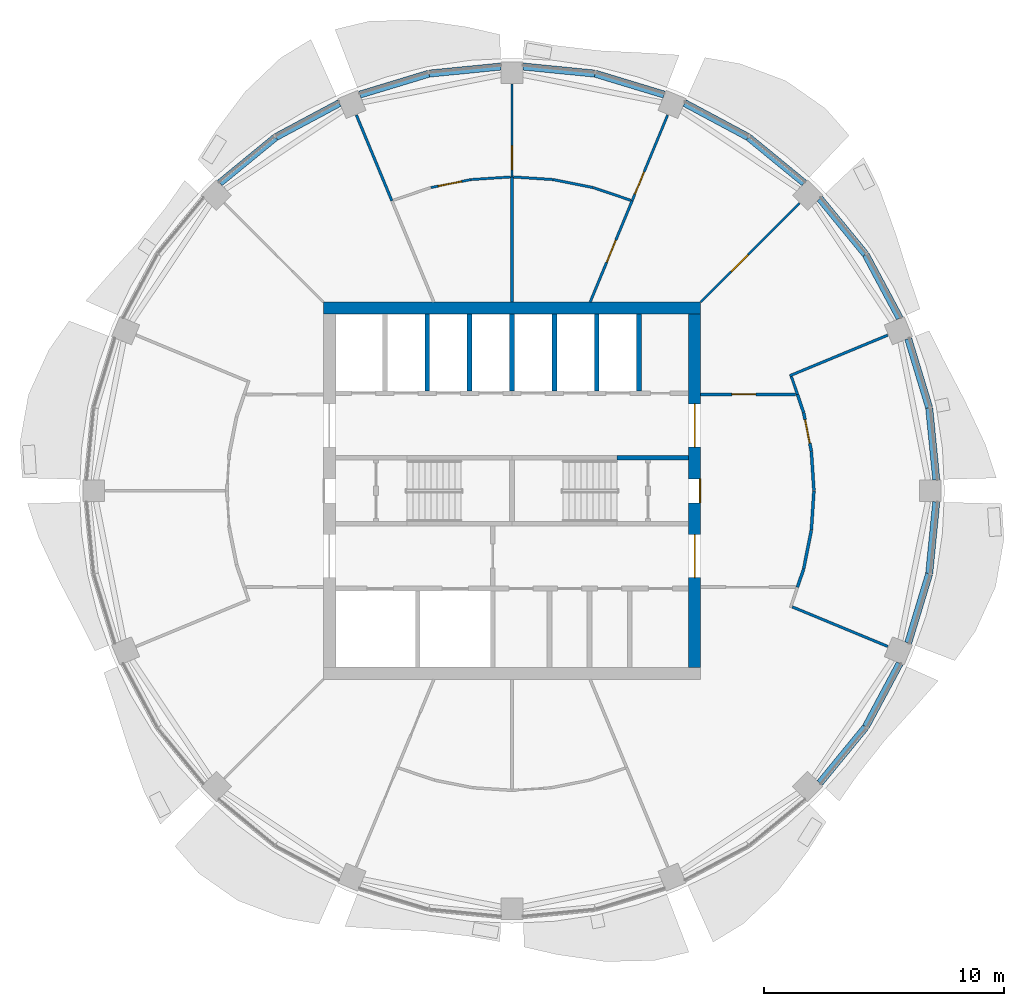
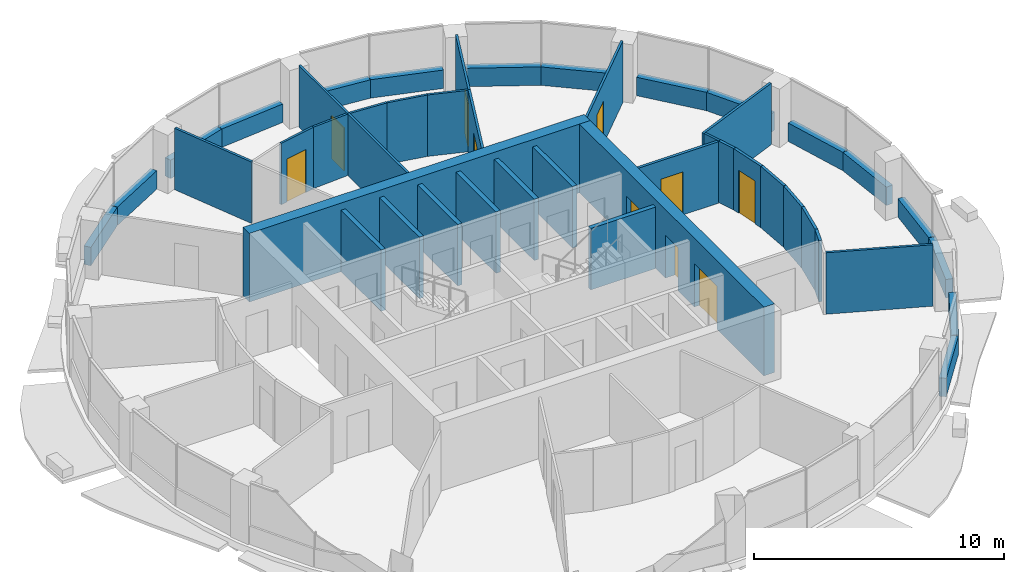
# One storey, part 10 of 15: 46 walls, 10 doors, 10 openings.
"""IFC4 building model written with IfcOpenShell, lengths in metres."""

from ifc_helpers import new_model, si_unit, direction, frame, frame_2d, origin, place, context, subcontext, project, spatial, rectangle, extrude, material, layer, layer_set, type_object, element, fill, save


model = new_model("IFC4")

# Units and contexts
model_context = context("Model", 3, precision=1e-05, world=origin(), true_north=direction((0.0, 1.0)))
body_context = subcontext(model_context, "Body", "Model", "MODEL_VIEW")
ifc_project = project(units=[si_unit("LENGTHUNIT", "METRE"), si_unit("AREAUNIT", "SQUARE_METRE"), si_unit("VOLUMEUNIT", "CUBIC_METRE"), si_unit("PLANEANGLEUNIT", "RADIAN"), si_unit("MASSUNIT", "GRAM", prefix="KILO")], contexts=[model_context])

# Site, building, storey
site_placement = place(None, origin())
site = spatial("IfcSite", under=ifc_project, at=site_placement, CompositionType="ELEMENT")
building_placement = place(site_placement, origin())
building = spatial("IfcBuilding", under=site, at=building_placement, Name="Polderwave Tower", CompositionType="ELEMENT")
storey_placement = place(building_placement, frame((0.0, 0.0, 191.0)))
storey = spatial("IfcBuildingStorey", under=building, at=storey_placement, Name="L51", CompositionType="ELEMENT", Elevation=191.0)

# Wall
ifc_material_1 = material(Name="Concrete C60/75", Category="concrete")
ifc_layer_1 = layer(ifc_material_1, 0.5)
ifc_layer_set_1 = layer_set([ifc_layer_1], Name="CORE WALL 500 C60/75")
wall_type_1 = type_object("IfcWallType", Name="CORE WALL 500 C60/75", PredefinedType="SHEAR", material=ifc_layer_set_1)
wall_1_placement = place(storey_placement, frame((-7.8740234375, 7.6240234375, 0.0), z_axis=(0.0, 0.0, 1.0), x_axis=(1.0, 0.0, 0.0)))
element("IfcWall", 1, at=wall_1_placement, inside=storey, type_object=wall_type_1, Name="ST-CORE-L51-N", PredefinedType="SHEAR", context=body_context, shape_type="SweptSolid", body=[
    extrude(rectangle(XDim=15.748046875, YDim=0.5, at=frame_2d((7.8740234375, 0.0))), origin(), (0.0, 0.0, 1.0), 3.35009765625),
])

# Wall, openings, doors
wall_2_placement = place(storey_placement, frame((7.6240234375, -7.3740234375, 0.0), z_axis=(0.0, 0.0, 1.0), x_axis=(0.0, 1.0, 0.0)))
wall_2 = element("IfcWall", 2, at=wall_2_placement, inside=storey, type_object=wall_type_1, Name="ST-CORE-L51-E", PredefinedType="SHEAR", context=body_context, shape_type="SweptSolid", body=[
    extrude(rectangle(XDim=14.748046875, YDim=0.5, at=frame_2d((7.3740234375, 0.0))), origin(), (0.0, 0.0, 1.0), 3.35009765625),
])
opening_1_placement = place(wall_2_placement, frame((6.8740234375, 0.0, 0.0)))
opening_1 = element("IfcOpeningElement", 3, at=opening_1_placement, cuts=wall_2, Name="Opening L51-D23", PredefinedType="OPENING", context=body_context, shape_type="SweptSolid", body=[
    extrude(rectangle(XDim=1.0, YDim=2.10009765625, at=frame_2d((0.5, 1.050048828125))), frame((0.0, 0.260009765625, 0.0), z_axis=(0.0, -1.0, 0.0), x_axis=(1.0, 0.0, 0.0)), (0.0, 0.0, 1.0), 0.52001953125),
])
opening_2_placement = place(wall_2_placement, frame((3.74951171875, 0.0, 0.0)))
opening_2 = element("IfcOpeningElement", 4, at=opening_2_placement, cuts=wall_2, Name="Opening L51-D24", PredefinedType="OPENING", context=body_context, shape_type="SweptSolid", body=[
    extrude(rectangle(XDim=1.800048828125, YDim=2.10009765625, at=frame_2d((0.89990234375, 1.050048828125))), frame((0.0, 0.260009765625, 0.0), z_axis=(0.0, -1.0, 0.0), x_axis=(1.0, 0.0, 0.0)), (0.0, 0.0, 1.0), 0.52001953125),
])
opening_3_placement = place(wall_2_placement, frame((9.198486328125, 0.0, 0.0)))
opening_3 = element("IfcOpeningElement", 5, at=opening_3_placement, cuts=wall_2, Name="Opening L51-D25", PredefinedType="OPENING", context=body_context, shape_type="SweptSolid", body=[
    extrude(rectangle(XDim=1.800048828125, YDim=2.10009765625, at=frame_2d((0.89990234375, 1.050048828125))), frame((0.0, 0.260009765625, 0.0), z_axis=(0.0, -1.0, 0.0), x_axis=(1.0, 0.0, 0.0)), (0.0, 0.0, 1.0), 0.52001953125),
])
ifc_material_2 = material(Name="Steel fire door", Category="steel")
door_type_1 = type_object("IfcDoorType", Name="Lobby entry door pair 1800", OperationType="DOUBLE_DOOR_SINGLE_SWING", PredefinedType="DOOR", material=ifc_material_2)
door_1_placement = place(opening_2_placement, frame((1.800048828125, 0.0, 0.0), z_axis=(0.0, 0.0, 1.0), x_axis=(-1.0, 0.0, 0.0)))
door_1 = element("IfcDoor", 6, at=door_1_placement, inside=storey, type_object=door_type_1, Name="South lobby entry door", OperationType="DOUBLE_DOOR_SINGLE_SWING", OverallHeight=2.10009765625, OverallWidth=1.800048828125, PredefinedType="DOOR", context=body_context, shape_type="SweptSolid", body=[
    extrude(rectangle(XDim=1.800048828125, YDim=2.10009765625, at=frame_2d((0.89990234375, 1.050048828125))), frame((0.0, 0.02490234375, 0.0), z_axis=(0.0, -1.0, 0.0), x_axis=(1.0, 0.0, 0.0)), (0.0, 0.0, 1.0), 0.050048828125),
])
fill(opening_2, door_1)
door_2_placement = place(opening_3_placement, frame((1.800048828125, 0.0, 0.0), z_axis=(0.0, 0.0, 1.0), x_axis=(-1.0, 0.0, 0.0)))
door_2 = element("IfcDoor", 7, at=door_2_placement, inside=storey, type_object=door_type_1, Name="North lobby entry door", OperationType="DOUBLE_DOOR_SINGLE_SWING", OverallHeight=2.10009765625, OverallWidth=1.800048828125, PredefinedType="DOOR", context=body_context, shape_type="SweptSolid", body=[
    extrude(rectangle(XDim=1.800048828125, YDim=2.10009765625, at=frame_2d((0.89990234375, 1.050048828125))), frame((0.0, 0.02490234375, 0.0), z_axis=(0.0, -1.0, 0.0), x_axis=(1.0, 0.0, 0.0)), (0.0, 0.0, 1.0), 0.050048828125),
])
fill(opening_3, door_2)
door_type_2 = type_object("IfcDoorType", Name="Stair door 1000", OperationType="NOTDEFINED", PredefinedType="DOOR", material=ifc_material_2)
door_3_placement = place(opening_1_placement, frame((1.0, 0.0, 0.0), z_axis=(0.0, 0.0, 1.0), x_axis=(-1.0, 0.0, 0.0)))
door_3 = element("IfcDoor", 8, at=door_3_placement, inside=storey, type_object=door_type_2, Name="Stair B entry door", OperationType="SINGLE_SWING_LEFT", OverallHeight=2.10009765625, OverallWidth=1.0, PredefinedType="DOOR", context=body_context, shape_type="SweptSolid", body=[
    extrude(rectangle(XDim=1.0, YDim=2.10009765625, at=frame_2d((0.5, 1.050048828125))), frame((0.0, 0.25, 0.0), z_axis=(0.0, -1.0, 0.0), x_axis=(1.0, 0.0, 0.0)), (0.0, 0.0, 1.0), 0.050048828125),
])
fill(opening_1, door_3)

# Walls
ifc_material_3 = material(Name="Concrete C50/60 (board-marked)", Category="concrete")
ifc_layer_2 = layer(ifc_material_3, 0.300048828125)
ifc_layer_set_2 = layer_set([ifc_layer_2], Name="Concrete spandrel upstand C50/60")
wall_type_2 = type_object("IfcWallType", Name="Concrete spandrel upstand C50/60", PredefinedType="SOLIDWALL", material=ifc_layer_set_2)
wall_3_placement = place(storey_placement, frame((17.70458984375, 0.4638671875, 0.0), z_axis=(0.0, 0.0, 1.0), x_axis=(-0.098109030901, 0.995175671957, 0.0)))
element("IfcWall", 9, at=wall_3_placement, inside=storey, type_object=wall_type_2, Name="Spandrel L51 1a", PredefinedType="SOLIDWALL", context=body_context, shape_type="SweptSolid", body=[
    extrude(rectangle(XDim=2.99853515625, YDim=0.300048828125, at=frame_2d((1.499267578125, 0.0))), origin(), (0.0, 0.0, 1.0), 0.89990234375),
])
wall_4_placement = place(storey_placement, frame((17.404541015625, 3.477294921875, 0.0), z_axis=(0.0, 0.0, 1.0), x_axis=(-0.290490921835, 0.95687774785, 0.0)))
element("IfcWall", 10, at=wall_4_placement, inside=storey, type_object=wall_type_2, Name="Spandrel L51 1b", PredefinedType="SOLIDWALL", context=body_context, shape_type="SweptSolid", body=[
    extrude(rectangle(XDim=2.998779296875, YDim=0.300048828125, at=frame_2d((1.49951171875, 0.0))), origin(), (0.0, 0.0, 1.0), 0.89990234375),
])
wall_5_placement = place(storey_placement, frame((16.178955078125, 7.2041015625, 0.0), z_axis=(0.0, 0.0, 1.0), x_axis=(-0.471572734074, 0.881827169278, 0.0)))
element("IfcWall", 11, at=wall_5_placement, inside=storey, type_object=wall_type_2, Name="Spandrel L51 2a", PredefinedType="SOLIDWALL", context=body_context, shape_type="SweptSolid", body=[
    extrude(rectangle(XDim=2.998046875, YDim=0.300048828125, at=frame_2d((1.4990234375, 0.0))), origin(), (0.0, 0.0, 1.0), 0.89990234375),
])
for number, where, z_axis, x_axis, name in (
    (12, (14.74853515625, 9.87255859375, 0.0), (0.0, 0.0, 1.0), (-0.634208079217, 0.773162410012, 0.0), "Spandrel L51 2b"),
    (13, (12.19140625, 12.846435546875, 0.0), (0.0, 0.0, 1.0), (-0.773162410012, 0.634208079217, 0.0), "Spandrel L51 3a"),
):
    element("IfcWall", number, at=place(storey_placement, frame(where, z_axis=z_axis, x_axis=x_axis)), inside=storey, type_object=wall_type_2, Name=name, PredefinedType="SOLIDWALL", context=body_context, shape_type="SweptSolid", body=[
        extrude(rectangle(XDim=2.999267578125, YDim=0.300048828125, at=frame_2d((1.49951171875, 0.0))), origin(), (0.0, 0.0, 1.0), 0.89990234375),
    ])
wall_6_placement = place(storey_placement, frame((9.847900390625, 14.76513671875, 0.0), z_axis=(0.0, 0.0, 1.0), x_axis=(-0.881827169278, 0.471572734074, 0.0)))
element("IfcWall", 14, at=wall_6_placement, inside=storey, type_object=wall_type_2, Name="Spandrel L51 3b", PredefinedType="SOLIDWALL", context=body_context, shape_type="SweptSolid", body=[
    extrude(rectangle(XDim=2.998046875, YDim=0.300048828125, at=frame_2d((1.4990234375, 0.0))), origin(), (0.0, 0.0, 1.0), 0.89990234375),
])
wall_7_placement = place(storey_placement, frame((6.3466796875, 16.533447265625, 0.0), z_axis=(0.0, 0.0, 1.0), x_axis=(-0.95687774785, 0.290490921835, 0.0)))
element("IfcWall", 15, at=wall_7_placement, inside=storey, type_object=wall_type_2, Name="Spandrel L51 4a", PredefinedType="SOLIDWALL", context=body_context, shape_type="SweptSolid", body=[
    extrude(rectangle(XDim=2.998779296875, YDim=0.300048828125, at=frame_2d((1.49951171875, 0.0))), origin(), (0.0, 0.0, 1.0), 0.89990234375),
])
for number, where, z_axis, x_axis, name in (
    (16, (3.447998046875, 17.410400390625, 0.0), (0.0, 0.0, 1.0), (-0.995175671957, 0.098109030901, 0.0), "Spandrel L51 4b"),
    (17, (-0.4638671875, 17.70458984375, 0.0), (0.0, 0.0, 1.0), (-0.995175671957, -0.098109030901, 0.0), "Spandrel L51 5a"),
):
    element("IfcWall", number, at=place(storey_placement, frame(where, z_axis=z_axis, x_axis=x_axis)), inside=storey, type_object=wall_type_2, Name=name, PredefinedType="SOLIDWALL", context=body_context, shape_type="SweptSolid", body=[
        extrude(rectangle(XDim=2.99853515625, YDim=0.300048828125, at=frame_2d((1.499267578125, 0.0))), origin(), (0.0, 0.0, 1.0), 0.89990234375),
    ])
wall_8_placement = place(storey_placement, frame((-3.477294921875, 17.404541015625, 0.0), z_axis=(0.0, 0.0, 1.0), x_axis=(-0.95687774785, -0.290490921835, 0.0)))
element("IfcWall", 18, at=wall_8_placement, inside=storey, type_object=wall_type_2, Name="Spandrel L51 5b", PredefinedType="SOLIDWALL", context=body_context, shape_type="SweptSolid", body=[
    extrude(rectangle(XDim=2.998779296875, YDim=0.300048828125, at=frame_2d((1.49951171875, 0.0))), origin(), (0.0, 0.0, 1.0), 0.89990234375),
])
wall_9_placement = place(storey_placement, frame((-7.2041015625, 16.178955078125, 0.0), z_axis=(0.0, 0.0, 1.0), x_axis=(-0.881827169278, -0.471572734074, 0.0)))
element("IfcWall", 19, at=wall_9_placement, inside=storey, type_object=wall_type_2, Name="Spandrel L51 6a", PredefinedType="SOLIDWALL", context=body_context, shape_type="SweptSolid", body=[
    extrude(rectangle(XDim=2.998046875, YDim=0.300048828125, at=frame_2d((1.4990234375, 0.0))), origin(), (0.0, 0.0, 1.0), 0.89990234375),
])
for number, where, z_axis, x_axis, name in (
    (20, (-9.87255859375, 14.74853515625, 0.0), (0.0, 0.0, 1.0), (-0.773162410012, -0.634208079217, 0.0), "Spandrel L51 6b"),
    (21, (12.846435546875, -12.19140625, 0.0), (0.0, 0.0, 1.0), (0.634208079217, 0.773162410012, 0.0), "Spandrel L51 15a"),
):
    element("IfcWall", number, at=place(storey_placement, frame(where, z_axis=z_axis, x_axis=x_axis)), inside=storey, type_object=wall_type_2, Name=name, PredefinedType="SOLIDWALL", context=body_context, shape_type="SweptSolid", body=[
        extrude(rectangle(XDim=2.999267578125, YDim=0.300048828125, at=frame_2d((1.49951171875, 0.0))), origin(), (0.0, 0.0, 1.0), 0.89990234375),
    ])
wall_10_placement = place(storey_placement, frame((14.76513671875, -9.847900390625, 0.0), z_axis=(0.0, 0.0, 1.0), x_axis=(0.471572734074, 0.881827169278, 0.0)))
element("IfcWall", 22, at=wall_10_placement, inside=storey, type_object=wall_type_2, Name="Spandrel L51 15b", PredefinedType="SOLIDWALL", context=body_context, shape_type="SweptSolid", body=[
    extrude(rectangle(XDim=2.998046875, YDim=0.300048828125, at=frame_2d((1.4990234375, 0.0))), origin(), (0.0, 0.0, 1.0), 0.89990234375),
])
wall_11_placement = place(storey_placement, frame((16.533447265625, -6.3466796875, 0.0), z_axis=(0.0, 0.0, 1.0), x_axis=(0.290490921835, 0.95687774785, 0.0)))
element("IfcWall", 23, at=wall_11_placement, inside=storey, type_object=wall_type_2, Name="Spandrel L51 16a", PredefinedType="SOLIDWALL", context=body_context, shape_type="SweptSolid", body=[
    extrude(rectangle(XDim=2.998779296875, YDim=0.300048828125, at=frame_2d((1.49951171875, 0.0))), origin(), (0.0, 0.0, 1.0), 0.89990234375),
])
wall_12_placement = place(storey_placement, frame((17.410400390625, -3.447998046875, 0.0), z_axis=(0.0, 0.0, 1.0), x_axis=(0.098109030901, 0.995175671957, 0.0)))
element("IfcWall", 24, at=wall_12_placement, inside=storey, type_object=wall_type_2, Name="Spandrel L51 16b", PredefinedType="SOLIDWALL", context=body_context, shape_type="SweptSolid", body=[
    extrude(rectangle(XDim=2.99853515625, YDim=0.300048828125, at=frame_2d((1.499267578125, 0.0))), origin(), (0.0, 0.0, 1.0), 0.89990234375),
])
ifc_material_4 = material(Name="Concrete C50/60", Category="concrete")
ifc_layer_3 = layer(ifc_material_4, 0.199951171875)
ifc_layer_set_3 = layer_set([ifc_layer_3], Name="Core web wall 200")
wall_type_3 = type_object("IfcWallType", Name="Core web wall 200", PredefinedType="SHEAR", material=ifc_layer_set_3)
wall_13_placement = place(storey_placement, frame((4.3740234375, 1.375, 0.0), z_axis=(0.0, 0.0, 1.0), x_axis=(1.0, 0.0, 0.0)))
element("IfcWall", 25, at=wall_13_placement, inside=storey, type_object=wall_type_3, Name="L51 north stair wall 4", PredefinedType="SHEAR", context=body_context, shape_type="SweptSolid", body=[
    extrude(rectangle(XDim=3.0, YDim=0.199951171875, at=frame_2d((1.5, 0.0))), origin(), (0.0, 0.0, 1.0), 3.0),
])
ifc_material_5 = material(Name="Fire-resisting board on steel studs", Category="steel")
ifc_layer_4 = layer(ifc_material_5, 0.125)
ifc_layer_set_4 = layer_set([ifc_layer_4], Name="Corridor wall 125 mm EI 60")
wall_type_4 = type_object("IfcWallType", Name="Corridor wall 125 mm EI 60", PredefinedType="PARTITIONING", material=ifc_layer_set_4)
for number, where, z_axis, x_axis, name in (
    (26, (11.91162109375, 4.0244140625, 0.0), (0.0, 0.0, 1.0), (0.321427947704, -0.946934039115, 0.0), "IN-L51-W001"),
    (27, (12.16943359375, -3.264892578125, 0.0), (0.0, 0.0, 1.0), (-0.321427947704, -0.946934039115, 0.0), "IN-L51-W002"),
):
    element("IfcWall", number, at=place(storey_placement, frame(where, z_axis=z_axis, x_axis=x_axis)), inside=storey, type_object=wall_type_4, Name=name, PredefinedType="PARTITIONING", context=body_context, shape_type="SweptSolid", body=[
        extrude(rectangle(XDim=0.802001953125, YDim=0.125, at=frame_2d((0.40087890625, 0.0))), origin(), (0.0, 0.0, 1.0), 3.0),
    ])

# Wall, opening, door
wall_14_placement = place(storey_placement, frame((12.17138671875, 3.257080078125, 0.0), z_axis=(0.0, 0.0, 1.0), x_axis=(0.195171279076, -0.980769173569, 0.0)))
wall_14 = element("IfcWall", 28, at=wall_14_placement, inside=storey, type_object=wall_type_4, Name="IN-L51-W003", PredefinedType="PARTITIONING", context=body_context, shape_type="SweptSolid", body=[
    extrude(rectangle(XDim=1.639892578125, YDim=0.125, at=frame_2d((0.81982421875, 0.0))), origin(), (0.0, 0.0, 1.0), 3.0),
])
opening_4_placement = place(wall_14_placement, frame((0.300048828125, 0.0, 0.0)))
opening_4 = element("IfcOpeningElement", 29, at=opening_4_placement, cuts=wall_14, Name="Opening L51-D50", PredefinedType="OPENING", context=body_context, shape_type="SweptSolid", body=[
    extrude(rectangle(XDim=1.0, YDim=2.10009765625, at=frame_2d((0.5, 1.050048828125))), frame((0.0, 0.072509765625, 0.0), z_axis=(0.0, -1.0, 0.0), x_axis=(1.0, 0.0, 0.0)), (0.0, 0.0, 1.0), 0.14501953125),
])
ifc_material_6 = material(Name="Timber fire door leaf", Category="wood")
door_type_3 = type_object("IfcDoorType", Name="Fire door FD30S 1000 x 2100", OperationType="NOTDEFINED", PredefinedType="DOOR", material=ifc_material_6)
door_4_placement = place(opening_4_placement, origin())
door_4 = element("IfcDoor", 30, at=door_4_placement, inside=storey, type_object=door_type_3, Name="Door L51-D50", OperationType="SINGLE_SWING_LEFT", OverallHeight=2.10009765625, OverallWidth=1.0, PredefinedType="DOOR", context=body_context, shape_type="SweptSolid", body=[
    extrude(rectangle(XDim=1.0, YDim=2.10009765625, at=frame_2d((0.5, 1.050048828125))), frame((0.0, 0.02490234375, 0.0), z_axis=(0.0, -1.0, 0.0), x_axis=(1.0, 0.0, 0.0)), (0.0, 0.0, 1.0), 0.050048828125),
])
fill(opening_4, door_4)

# Walls
wall_15_placement = place(storey_placement, frame((12.491455078125, -1.648681640625, 0.0), z_axis=(0.0, 0.0, 1.0), x_axis=(-0.195171279076, -0.980769173569, 0.0)))
element("IfcWall", 31, at=wall_15_placement, inside=storey, type_object=wall_type_4, Name="IN-L51-W004", PredefinedType="PARTITIONING", context=body_context, shape_type="SweptSolid", body=[
    extrude(rectangle(XDim=1.639892578125, YDim=0.125, at=frame_2d((0.81982421875, 0.0))), origin(), (0.0, 0.0, 1.0), 3.0),
])
for number, where, z_axis, x_axis, name in (
    (32, (12.492431640625, 1.640380859375, 0.0), (0.0, 0.0, 1.0), (0.065362761633, -0.997861568251, 0.0), "IN-L51-W005"),
    (33, (12.599609375, -0.004150390625, 0.0), (0.0, 0.0, 1.0), (-0.065362761633, -0.997861568251, 0.0), "IN-L51-W006"),
):
    element("IfcWall", number, at=place(storey_placement, frame(where, z_axis=z_axis, x_axis=x_axis)), inside=storey, type_object=wall_type_4, Name=name, PredefinedType="PARTITIONING", context=body_context, shape_type="SweptSolid", body=[
        extrude(rectangle(XDim=1.6396484375, YDim=0.125, at=frame_2d((0.81982421875, 0.0))), origin(), (0.0, 0.0, 1.0), 3.0),
    ])

# Wall, opening, door
wall_16_placement = place(storey_placement, frame((7.8740234375, 4.0244140625, 0.0), z_axis=(0.0, 0.0, 1.0), x_axis=(1.0, 0.0, 0.0)))
wall_16 = element("IfcWall", 34, at=wall_16_placement, inside=storey, type_object=wall_type_4, Name="IN-L51-W007", PredefinedType="PARTITIONING", context=body_context, shape_type="SweptSolid", body=[
    extrude(rectangle(XDim=3.9501953125, YDim=0.125, at=frame_2d((1.97509765625, 0.0))), origin(), (0.0, 0.0, 1.0), 3.0),
])
opening_5_placement = place(wall_16_placement, frame((1.300048828125, 0.0, 0.0)))
opening_5 = element("IfcOpeningElement", 35, at=opening_5_placement, cuts=wall_16, Name="Opening L51-D51", PredefinedType="OPENING", context=body_context, shape_type="SweptSolid", body=[
    extrude(rectangle(XDim=1.0, YDim=2.10009765625, at=frame_2d((0.5, 1.050048828125))), frame((0.0, 0.072509765625, 0.0), z_axis=(0.0, -1.0, 0.0), x_axis=(1.0, 0.0, 0.0)), (0.0, 0.0, 1.0), 0.14501953125),
])
door_5_placement = place(opening_5_placement, origin())
door_5 = element("IfcDoor", 36, at=door_5_placement, inside=storey, type_object=door_type_3, Name="Door L51-D51", OperationType="SINGLE_SWING_LEFT", OverallHeight=2.10009765625, OverallWidth=1.0, PredefinedType="DOOR", context=body_context, shape_type="SweptSolid", body=[
    extrude(rectangle(XDim=1.0, YDim=2.10009765625, at=frame_2d((0.5, 1.050048828125))), frame((0.0, 0.02490234375, 0.0), z_axis=(0.0, -1.0, 0.0), x_axis=(1.0, 0.0, 0.0)), (0.0, 0.0, 1.0), 0.050048828125),
])
fill(opening_5, door_5)

ifc_material_7 = material(Name="Plasterboard on steel studs", Category="steel")
ifc_layer_5 = layer(ifc_material_7, 0.10009765625)
ifc_layer_set_5 = layer_set([ifc_layer_5], Name="Partition 100 mm plasterboard on steel studs")
wall_type_5 = type_object("IfcWallType", Name="Partition 100 mm plasterboard on steel studs", PredefinedType="PARTITIONING", material=ifc_layer_set_5)
wall_17_placement = place(storey_placement, frame((7.8740234375, 7.8740234375, 0.0), z_axis=(0.0, 0.0, 1.0), x_axis=(0.707106781187, 0.707106781187, 0.0)))
wall_17 = element("IfcWall", 37, at=wall_17_placement, inside=storey, type_object=wall_type_5, Name="IN-L51-W021", PredefinedType="PARTITIONING", context=body_context, shape_type="SweptSolid", body=[
    extrude(rectangle(XDim=5.834228515625, YDim=0.10009765625, at=frame_2d((2.9169921875, 0.0))), origin(), (0.0, 0.0, 1.0), 3.0),
])
opening_6_placement = place(wall_17_placement, frame((1.800048828125, 0.0, 0.0)))
opening_6 = element("IfcOpeningElement", 38, at=opening_6_placement, cuts=wall_17, Name="Opening L51-D57", PredefinedType="OPENING", context=body_context, shape_type="SweptSolid", body=[
    extrude(rectangle(XDim=1.0, YDim=2.10009765625, at=frame_2d((0.5, 1.050048828125))), frame((0.0, 0.06005859375, 0.0), z_axis=(0.0, -1.0, 0.0), x_axis=(1.0, 0.0, 0.0)), (0.0, 0.0, 1.0), 0.1201171875),
])
ifc_material_8 = material(Name="Timber veneer door leaf", Category="wood")
door_type_4 = type_object("IfcDoorType", Name="Single door 1000 x 2100", OperationType="NOTDEFINED", PredefinedType="DOOR", material=ifc_material_8)
door_6_placement = place(opening_6_placement, origin())
door_6 = element("IfcDoor", 39, at=door_6_placement, inside=storey, type_object=door_type_4, Name="Door L51-D57", OperationType="SINGLE_SWING_LEFT", OverallHeight=2.10009765625, OverallWidth=1.0, PredefinedType="DOOR", context=body_context, shape_type="SweptSolid", body=[
    extrude(rectangle(XDim=1.0, YDim=2.10009765625, at=frame_2d((0.5, 1.050048828125))), frame((0.0, 0.02490234375, 0.0), z_axis=(0.0, -1.0, 0.0), x_axis=(1.0, 0.0, 0.0)), (0.0, 0.0, 1.0), 0.050048828125),
])
fill(opening_6, door_6)

wall_18_placement = place(storey_placement, frame((5.01318359375, 12.102783203125, 0.0), z_axis=(0.0, 0.0, 1.0), x_axis=(0.382674944996, 0.923883048049, 0.0)))
wall_18 = element("IfcWall", 40, at=wall_18_placement, inside=storey, type_object=wall_type_5, Name="IN-L51-W023", PredefinedType="PARTITIONING", context=body_context, shape_type="SweptSolid", body=[
    extrude(rectangle(XDim=3.8701171875, YDim=0.10009765625, at=frame_2d((1.93505859375, 0.0))), origin(), (0.0, 0.0, 1.0), 3.0),
])
opening_7_placement = place(wall_18_placement, frame((0.300048828125, 0.0, 0.0)))
opening_7 = element("IfcOpeningElement", 41, at=opening_7_placement, cuts=wall_18, Name="Opening L51-D59", PredefinedType="OPENING", context=body_context, shape_type="SweptSolid", body=[
    extrude(rectangle(XDim=1.0, YDim=2.10009765625, at=frame_2d((0.5, 1.050048828125))), frame((0.0, 0.06005859375, 0.0), z_axis=(0.0, -1.0, 0.0), x_axis=(1.0, 0.0, 0.0)), (0.0, 0.0, 1.0), 0.1201171875),
])
door_7_placement = place(opening_7_placement, origin())
door_7 = element("IfcDoor", 42, at=door_7_placement, inside=storey, type_object=door_type_4, Name="Door L51-D59", OperationType="SINGLE_SWING_LEFT", OverallHeight=2.10009765625, OverallWidth=1.0, PredefinedType="DOOR", context=body_context, shape_type="SweptSolid", body=[
    extrude(rectangle(XDim=1.0, YDim=2.10009765625, at=frame_2d((0.5, 1.050048828125))), frame((0.0, 0.02490234375, 0.0), z_axis=(0.0, -1.0, 0.0), x_axis=(1.0, 0.0, 0.0)), (0.0, 0.0, 1.0), 0.050048828125),
])
fill(opening_7, door_7)

wall_19_placement = place(storey_placement, frame((0.0, 13.10009765625, 0.0), z_axis=(0.0, 0.0, 1.0), x_axis=(0.0, 1.0, 0.0)))
wall_19 = element("IfcWall", 43, at=wall_19_placement, inside=storey, type_object=wall_type_5, Name="IN-L51-W028", PredefinedType="PARTITIONING", context=body_context, shape_type="SweptSolid", body=[
    extrude(rectangle(XDim=3.869873046875, YDim=0.10009765625, at=frame_2d((1.93505859375, 0.0))), origin(), (0.0, 0.0, 1.0), 3.0),
])
opening_8_placement = place(wall_19_placement, frame((0.300048828125, 0.0, 0.0)))
opening_8 = element("IfcOpeningElement", 44, at=opening_8_placement, cuts=wall_19, Name="Opening L51-D60", PredefinedType="OPENING", context=body_context, shape_type="SweptSolid", body=[
    extrude(rectangle(XDim=1.0, YDim=2.10009765625, at=frame_2d((0.5, 1.050048828125))), frame((0.0, 0.06005859375, 0.0), z_axis=(0.0, -1.0, 0.0), x_axis=(1.0, 0.0, 0.0)), (0.0, 0.0, 1.0), 0.1201171875),
])
door_8_placement = place(opening_8_placement, origin())
door_8 = element("IfcDoor", 45, at=door_8_placement, inside=storey, type_object=door_type_4, Name="Door L51-D60", OperationType="SINGLE_SWING_LEFT", OverallHeight=2.10009765625, OverallWidth=1.0, PredefinedType="DOOR", context=body_context, shape_type="SweptSolid", body=[
    extrude(rectangle(XDim=1.0, YDim=2.10009765625, at=frame_2d((0.5, 1.050048828125))), frame((0.0, 0.02490234375, 0.0), z_axis=(0.0, -1.0, 0.0), x_axis=(1.0, 0.0, 0.0)), (0.0, 0.0, 1.0), 0.050048828125),
])
fill(opening_8, door_8)

wall_20_placement = place(storey_placement, frame((-1.713134765625, 12.9873046875, 0.0), z_axis=(0.0, 0.0, 1.0), x_axis=(-0.980783695828, -0.195098288043, 0.0)))
wall_20 = element("IfcWall", 46, at=wall_20_placement, inside=storey, type_object=wall_type_5, Name="IN-L51-W030", PredefinedType="PARTITIONING", context=body_context, shape_type="SweptSolid", body=[
    extrude(rectangle(XDim=1.706787109375, YDim=0.10009765625, at=frame_2d((0.853515625, 0.0))), origin(), (0.0, 0.0, 1.0), 3.0),
])
opening_9_placement = place(wall_20_placement, frame((0.39990234375, 0.0, 0.0)))
opening_9 = element("IfcOpeningElement", 47, at=opening_9_placement, cuts=wall_20, Name="Opening L51-D61", PredefinedType="OPENING", context=body_context, shape_type="SweptSolid", body=[
    extrude(rectangle(XDim=1.0, YDim=2.10009765625, at=frame_2d((0.5, 1.050048828125))), frame((0.0, 0.06005859375, 0.0), z_axis=(0.0, -1.0, 0.0), x_axis=(1.0, 0.0, 0.0)), (0.0, 0.0, 1.0), 0.1201171875),
])
door_9_placement = place(opening_9_placement, origin())
door_9 = element("IfcDoor", 48, at=door_9_placement, inside=storey, type_object=door_type_4, Name="Door L51-D61", OperationType="SINGLE_SWING_RIGHT", OverallHeight=2.10009765625, OverallWidth=1.0, PredefinedType="DOOR", context=body_context, shape_type="SweptSolid", body=[
    extrude(rectangle(XDim=1.0, YDim=2.10009765625, at=frame_2d((0.5, 1.050048828125))), frame((0.0, 0.02490234375, 0.0), z_axis=(0.0, -1.0, 0.0), x_axis=(1.0, 0.0, 0.0)), (0.0, 0.0, 1.0), 0.050048828125),
])
fill(opening_9, door_9)

# Wall
wall_21_placement = place(storey_placement, frame((-1.70654296875, 12.988037109375, 0.0), z_axis=(0.0, 0.0, 1.0), x_axis=(0.997860265299, 0.06538265013, 0.0)))
element("IfcWall", 49, at=wall_21_placement, inside=storey, type_object=wall_type_5, Name="IN-L51-W031", PredefinedType="PARTITIONING", context=body_context, shape_type="SweptSolid", body=[
    extrude(rectangle(XDim=1.654052734375, YDim=0.10009765625, at=frame_2d((0.8271484375, 0.0))), origin(), (0.0, 0.0, 1.0), 3.0),
])

# Wall, opening, door
ifc_material_9 = material(Name="Moisture-resistant board on steel studs, tiled", Category="steel")
ifc_layer_6 = layer(ifc_material_9, 0.10498046875)
ifc_layer_set_6 = layer_set([ifc_layer_6], Name="Partition 105 mm wet room board and tile")
wall_type_6 = type_object("IfcWallType", Name="Partition 105 mm wet room board and tile", PredefinedType="PARTITIONING", material=ifc_layer_set_6)
wall_22_placement = place(storey_placement, frame((3.261474609375, 7.8740234375, 0.0), z_axis=(0.0, 0.0, 1.0), x_axis=(0.382701956612, 0.923871859299, 0.0)))
wall_22 = element("IfcWall", 50, at=wall_22_placement, inside=storey, type_object=wall_type_6, Name="IN-L51-W022", PredefinedType="PARTITIONING", context=body_context, shape_type="SweptSolid", body=[
    extrude(rectangle(XDim=4.5771484375, YDim=0.10498046875, at=frame_2d((2.28857421875, 0.0))), origin(), (0.0, 0.0, 1.0), 3.0),
])
opening_10_placement = place(wall_22_placement, frame((1.800048828125, 0.0, 0.0)))
opening_10 = element("IfcOpeningElement", 51, at=opening_10_placement, cuts=wall_22, Name="Opening L51-D58", PredefinedType="OPENING", context=body_context, shape_type="SweptSolid", body=[
    extrude(rectangle(XDim=1.0, YDim=2.10009765625, at=frame_2d((0.5, 1.050048828125))), frame((0.0, 0.0625, 0.0), z_axis=(0.0, -1.0, 0.0), x_axis=(1.0, 0.0, 0.0)), (0.0, 0.0, 1.0), 0.125),
])
door_10_placement = place(opening_10_placement, origin())
door_10 = element("IfcDoor", 52, at=door_10_placement, inside=storey, type_object=door_type_4, Name="Door L51-D58", OperationType="SINGLE_SWING_RIGHT", OverallHeight=2.10009765625, OverallWidth=1.0, PredefinedType="DOOR", context=body_context, shape_type="SweptSolid", body=[
    extrude(rectangle(XDim=1.0, YDim=2.10009765625, at=frame_2d((0.5, 1.050048828125))), frame((0.0, 0.02490234375, 0.0), z_axis=(0.0, -1.0, 0.0), x_axis=(1.0, 0.0, 0.0)), (0.0, 0.0, 1.0), 0.050048828125),
])
fill(opening_10, door_10)

# Walls
wall_23_placement = place(storey_placement, frame((0.055908203125, 13.09619140625, 0.0), z_axis=(0.0, 0.0, 1.0), x_axis=(0.997860265299, -0.06538265013, 0.0)))
element("IfcWall", 53, at=wall_23_placement, inside=storey, type_object=wall_type_6, Name="IN-L51-W024", PredefinedType="PARTITIONING", context=body_context, shape_type="SweptSolid", body=[
    extrude(rectangle(XDim=1.654052734375, YDim=0.10498046875, at=frame_2d((0.8271484375, 0.0))), origin(), (0.0, 0.0, 1.0), 3.0),
])
wall_24_placement = place(storey_placement, frame((1.71337890625, 12.9873046875, 0.0), z_axis=(0.0, 0.0, 1.0), x_axis=(0.980778250333, -0.195125661239, 0.0)))
element("IfcWall", 54, at=wall_24_placement, inside=storey, type_object=wall_type_6, Name="IN-L51-W025", PredefinedType="PARTITIONING", context=body_context, shape_type="SweptSolid", body=[
    extrude(rectangle(XDim=1.70654296875, YDim=0.10498046875, at=frame_2d((0.853271484375, 0.0))), origin(), (0.0, 0.0, 1.0), 3.0),
])
wall_25_placement = place(storey_placement, frame((3.393798828125, 12.652587890625, 0.0), z_axis=(0.0, 0.0, 1.0), x_axis=(0.946927367808, -0.321447600855, 0.0)))
element("IfcWall", 55, at=wall_25_placement, inside=storey, type_object=wall_type_6, Name="IN-L51-W026", PredefinedType="PARTITIONING", context=body_context, shape_type="SweptSolid", body=[
    extrude(rectangle(XDim=1.654296875, YDim=0.10498046875, at=frame_2d((0.8271484375, 0.0))), origin(), (0.0, 0.0, 1.0), 3.0),
])
wall_26_placement = place(storey_placement, frame((0.0, 7.8740234375, 0.0), z_axis=(0.0, 0.0, 1.0), x_axis=(0.0, 1.0, 0.0)))
element("IfcWall", 56, at=wall_26_placement, inside=storey, type_object=wall_type_6, Name="IN-L51-W027", PredefinedType="PARTITIONING", context=body_context, shape_type="SweptSolid", body=[
    extrude(rectangle(XDim=5.22607421875, YDim=0.10498046875, at=frame_2d((2.613037109375, 0.0))), origin(), (0.0, 0.0, 1.0), 3.0),
])
ifc_material_10 = material(Name="Acoustic double plasterboard on steel studs", Category="steel")
ifc_layer_7 = layer(ifc_material_10, 0.110107421875)
ifc_layer_set_7 = layer_set([ifc_layer_7], Name="Partition 110 mm acoustic double board")
wall_type_7 = type_object("IfcWallType", Name="Partition 110 mm acoustic double board", PredefinedType="PARTITIONING", material=ifc_layer_set_7)
wall_27_placement = place(storey_placement, frame((11.590087890625, 4.80078125, 0.0), z_axis=(0.0, 0.0, 1.0), x_axis=(0.92387965154, 0.382683145003, 0.0)))
element("IfcWall", 57, at=wall_27_placement, inside=storey, type_object=wall_type_7, Name="IN-L51-W017", PredefinedType="PARTITIONING", context=body_context, shape_type="SweptSolid", body=[
    extrude(rectangle(XDim=4.425048828125, YDim=0.110107421875, at=frame_2d((2.21240234375, 0.0))), origin(), (0.0, 0.0, 1.0), 3.0),
])
wall_28_placement = place(storey_placement, frame((11.91162109375, 4.0244140625, 0.0), z_axis=(0.0, 0.0, 1.0), x_axis=(-0.321366225339, 0.946954987954, 0.0)))
element("IfcWall", 58, at=wall_28_placement, inside=storey, type_object=wall_type_7, Name="IN-L51-W018", PredefinedType="PARTITIONING", context=body_context, shape_type="SweptSolid", body=[
    extrude(rectangle(XDim=0.783203125, YDim=0.110107421875, at=frame_2d((0.3916015625, 0.0))), origin(), (0.0, 0.0, 1.0), 3.0),
])
wall_29_placement = place(storey_placement, frame((15.67822265625, -6.494140625, 0.0), z_axis=(0.0, 0.0, 1.0), x_axis=(-0.923869121921, 0.382708564787, 0.0)))
element("IfcWall", 59, at=wall_29_placement, inside=storey, type_object=wall_type_7, Name="IN-L51-W020", PredefinedType="PARTITIONING", context=body_context, shape_type="SweptSolid", body=[
    extrude(rectangle(XDim=4.31103515625, YDim=0.110107421875, at=frame_2d((2.155517578125, 0.0))), origin(), (0.0, 0.0, 1.0), 3.0),
])
wall_30_placement = place(storey_placement, frame((-5.01318359375, 12.102783203125, 0.0), z_axis=(0.0, 0.0, 1.0), x_axis=(-0.382674944996, 0.923883048049, 0.0)))
element("IfcWall", 60, at=wall_30_placement, inside=storey, type_object=wall_type_7, Name="IN-L51-W033", PredefinedType="PARTITIONING", context=body_context, shape_type="SweptSolid", body=[
    extrude(rectangle(XDim=3.8701171875, YDim=0.110107421875, at=frame_2d((1.93505859375, 0.0))), origin(), (0.0, 0.0, 1.0), 3.0),
])
ifc_material_11 = material(Name="Gypsum shaft wall system")
ifc_layer_8 = layer(ifc_material_11, 0.199951171875)
ifc_layer_set_8 = layer_set([ifc_layer_8], Name="Shaft wall 200")
wall_type_8 = type_object("IfcWallType", Name="Shaft wall 200", PredefinedType="PARTITIONING", material=ifc_layer_set_8)
for number, where, z_axis, x_axis, name in (
    (61, (-3.537109375, 4.174072265625, 0.0), (0.0, 0.0, 1.0), (0.0, 1.0, 0.0), "L51 lift shaft wall N2"),
    (62, (-1.7685546875, 4.174072265625, 0.0), (0.0, 0.0, 1.0), (0.0, 1.0, 0.0), "L51 lift shaft wall N3"),
    (63, (0.0, 4.174072265625, 0.0), (0.0, 0.0, 1.0), (0.0, 1.0, 0.0), "L51 lift shaft wall N4"),
    (64, (1.7685546875, 4.174072265625, 0.0), (0.0, 0.0, 1.0), (0.0, 1.0, 0.0), "L51 lift shaft wall N5"),
    (65, (3.537109375, 4.174072265625, 0.0), (0.0, 0.0, 1.0), (0.0, 1.0, 0.0), "L51 lift shaft wall N6"),
    (66, (5.305419921875, 4.174072265625, 0.0), (0.0, 0.0, 1.0), (0.0, 1.0, 0.0), "L51 lift shaft wall N7"),
):
    element("IfcWall", number, at=place(storey_placement, frame(where, z_axis=z_axis, x_axis=x_axis)), inside=storey, type_object=wall_type_8, Name=name, PredefinedType="PARTITIONING", context=body_context, shape_type="SweptSolid", body=[
        extrude(rectangle(XDim=3.199951171875, YDim=0.199951171875, at=frame_2d((1.60009765625, 0.0))), origin(), (0.0, 0.0, 1.0), 3.0),
    ])

save(model, "model.ifc")
